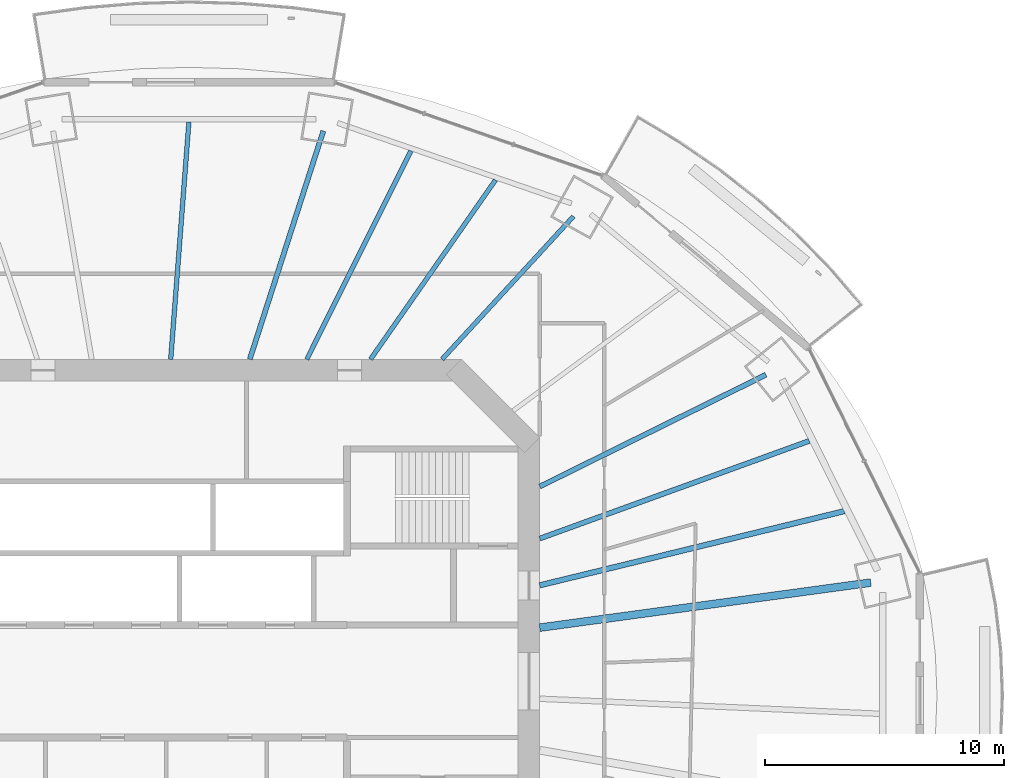
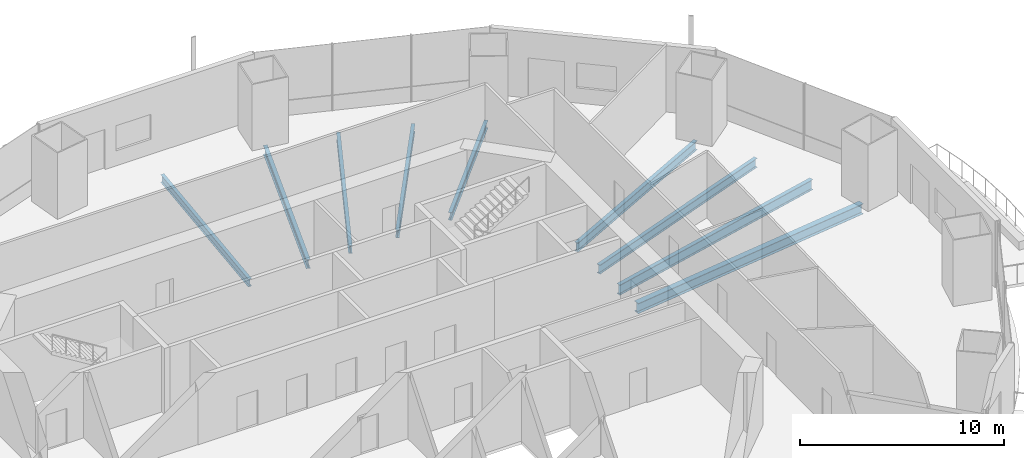
# One storey, part 7 of 20: 9 beams.
"""IFC4 building model written with IfcOpenShell, lengths in metres."""

from ifc_helpers import new_model, si_unit, direction, frame, origin, origin_2d, place, context, subcontext, project, spatial, i_section, extrude, material, material_profile, profile_set, type_object, element, save


model = new_model("IFC4")

# Units and contexts
model_context = context("Model", 3, precision=1e-05, world=origin(), true_north=direction((0.0, 1.0)))
body_context = subcontext(model_context, "Body", "Model", "MODEL_VIEW")
ifc_project = project(units=[si_unit("LENGTHUNIT", "METRE"), si_unit("AREAUNIT", "SQUARE_METRE"), si_unit("VOLUMEUNIT", "CUBIC_METRE"), si_unit("PLANEANGLEUNIT", "RADIAN"), si_unit("MASSUNIT", "GRAM", prefix="KILO")], contexts=[model_context])

# Site, building, storey
site_placement = place(None, origin())
site = spatial("IfcSite", under=ifc_project, at=site_placement, CompositionType="ELEMENT")
building_placement = place(site_placement, origin())
building = spatial("IfcBuilding", under=site, at=building_placement, Name="Marenthal Gate Tower", CompositionType="ELEMENT")
storey_placement = place(building_placement, frame((0.0, 0.0, 210.85009765625)))
storey = spatial("IfcBuildingStorey", under=building, at=storey_placement, Name="L46", CompositionType="ELEMENT", Elevation=210.85009765625)

# Beams
ifc_material_1 = material(Name="Steel S355", Category="steel")
ifc_material_profile_1 = material_profile(ifc_material_1, i_section(OverallWidth=0.193115234375, OverallDepth=0.467041015625, WebThickness=0.011474609375, FlangeThickness=0.01904296875, FilletRadius=0.010009765625, at=origin_2d()), Name="W460X97")
ifc_profile_set_1 = profile_set([ifc_material_profile_1], Name="Steel S355")
beam_type_1 = type_object("IfcBeamType", Name="W460X97 beam", PredefinedType="BEAM", material=ifc_profile_set_1)
beam_1_placement = place(storey_placement, frame((17.859130859375, 19.42333984375, -0.41357421875), z_axis=(-0.67683423775, -0.736135459416, 0.0), x_axis=(0.736135459416, -0.67683423775, 0.0)))
element("IfcBeam", 1, at=beam_1_placement, inside=storey, type_object=beam_type_1, Name="BM-L46-03", PredefinedType="BEAM", context=body_context, shape_type="SweptSolid", body=[
    extrude(i_section(OverallWidth=0.193115234375, OverallDepth=0.467041015625, WebThickness=0.011474609375, FlangeThickness=0.01904296875, FilletRadius=0.010009765625, at=origin_2d()), origin(), (0.0, 0.0, 1.0), 8.114501953125),
])
beam_2_placement = place(storey_placement, frame((14.603271484375, 20.944091796875, -0.41357421875), z_axis=(-0.571933272977, -0.820300147057, 0.0), x_axis=(0.820300147057, -0.571933272977, 0.0)))
element("IfcBeam", 2, at=beam_2_placement, inside=storey, type_object=beam_type_1, Name="BM-L46-20", PredefinedType="BEAM", context=body_context, shape_type="SweptSolid", body=[
    extrude(i_section(OverallWidth=0.193115234375, OverallDepth=0.467041015625, WebThickness=0.011474609375, FlangeThickness=0.01904296875, FilletRadius=0.010009765625, at=origin_2d()), origin(), (0.0, 0.0, 1.0), 9.1357421875),
])
beam_3_placement = place(storey_placement, frame((11.06787109375, 22.16064453125, -0.41357421875), z_axis=(-0.446822395082, -0.894622684294, 0.0), x_axis=(0.894622684294, -0.446822395082, 0.0)))
element("IfcBeam", 3, at=beam_3_placement, inside=storey, type_object=beam_type_1, Name="BM-L46-21", PredefinedType="BEAM", context=body_context, shape_type="SweptSolid", body=[
    extrude(i_section(OverallWidth=0.193115234375, OverallDepth=0.467041015625, WebThickness=0.011474609375, FlangeThickness=0.01904296875, FilletRadius=0.010009765625, at=origin_2d()), origin(), (0.0, 0.0, 1.0), 9.73681640625),
])
beam_4_placement = place(storey_placement, frame((1.791259765625, 23.36376953125, -0.41357421875), z_axis=(-0.076437376751, -0.997074384104, 0.0), x_axis=(0.997074384104, -0.076437376751, 0.0)))
element("IfcBeam", 4, at=beam_4_placement, inside=storey, type_object=beam_type_1, Name="BM-L46-22", PredefinedType="BEAM", context=body_context, shape_type="SweptSolid", body=[
    extrude(i_section(OverallWidth=0.193115234375, OverallDepth=0.467041015625, WebThickness=0.011474609375, FlangeThickness=0.01904296875, FilletRadius=0.010009765625, at=origin_2d()), origin(), (0.0, 0.0, 1.0), 9.94287109375),
])
ifc_material_2 = material(Name="Steel S355", Category="steel")
ifc_material_profile_2 = material_profile(ifc_material_2, i_section(OverallWidth=0.2119140625, OverallDepth=0.5439453125, WebThickness=0.01318359375, FlangeThickness=0.021240234375, FilletRadius=0.0126953125, at=origin_2d()), Name="W530X123")
ifc_profile_set_2 = profile_set([ifc_material_profile_2], Name="Steel S355")
beam_type_2 = type_object("IfcBeamType", Name="W530X123 beam", PredefinedType="BEAM", material=ifc_profile_set_2)
beam_5_placement = place(storey_placement, frame((25.89990234375, 12.806884765625, -0.4521484375), z_axis=(-0.896396180878, -0.44325375002, 0.0), x_axis=(0.44325375002, -0.896396180878, 0.0)))
element("IfcBeam", 5, at=beam_5_placement, inside=storey, type_object=beam_type_2, Name="BM-L46-02", PredefinedType="BEAM", context=body_context, shape_type="SweptSolid", body=[
    extrude(i_section(OverallWidth=0.2119140625, OverallDepth=0.5439453125, WebThickness=0.01318359375, FlangeThickness=0.021240234375, FilletRadius=0.0126953125, at=origin_2d()), origin(), (0.0, 0.0, 1.0), 10.542236328125),
])
beam_6_placement = place(storey_placement, frame((7.408203125, 22.991943359375, -0.4521484375), z_axis=(-0.306677588353, -0.951813456935, 0.0), x_axis=(0.951813456935, -0.306677588353, 0.0)))
element("IfcBeam", 6, at=beam_6_placement, inside=storey, type_object=beam_type_2, Name="BM-L46-04", PredefinedType="BEAM", context=body_context, shape_type="SweptSolid", body=[
    extrude(i_section(OverallWidth=0.2119140625, OverallDepth=0.5439453125, WebThickness=0.01318359375, FlangeThickness=0.021240234375, FilletRadius=0.0126953125, at=origin_2d()), origin(), (0.0, 0.0, 1.0), 10.025146484375),
])
beam_7_placement = place(storey_placement, frame((27.708740234375, 10.04150390625, -0.4521484375), z_axis=(-0.940169047175, -0.340708325015, 0.0), x_axis=(0.340708325015, -0.940169047175, 0.0)))
element("IfcBeam", 7, at=beam_7_placement, inside=storey, type_object=beam_type_2, Name="BM-L46-18", PredefinedType="BEAM", context=body_context, shape_type="SweptSolid", body=[
    extrude(i_section(OverallWidth=0.2119140625, OverallDepth=0.5439453125, WebThickness=0.01318359375, FlangeThickness=0.021240234375, FilletRadius=0.0126953125, at=origin_2d()), origin(), (0.0, 0.0, 1.0), 11.975341796875),
])
ifc_material_3 = material(Name="Steel S355", Category="steel")
ifc_material_profile_3 = material_profile(ifc_material_3, i_section(OverallWidth=0.22900390625, OverallDepth=0.612060546875, WebThickness=0.011962890625, FlangeThickness=0.01953125, FilletRadius=0.0126953125, at=origin_2d()), Name="W610X125")
ifc_profile_set_3 = profile_set([ifc_material_profile_3], Name="Steel S355")
beam_type_3 = type_object("IfcBeamType", Name="W610X125 beam", PredefinedType="BEAM", material=ifc_profile_set_3)
beam_8_placement = place(storey_placement, frame((29.17236328125, 7.10546875, -0.486083984375), z_axis=(-0.971593259294, -0.236657006011, 0.0), x_axis=(0.236657006011, -0.971593259294, 0.0)))
element("IfcBeam", 8, at=beam_8_placement, inside=storey, type_object=beam_type_3, Name="BM-L46-17", PredefinedType="BEAM", context=body_context, shape_type="SweptSolid", body=[
    extrude(i_section(OverallWidth=0.22900390625, OverallDepth=0.612060546875, WebThickness=0.011962890625, FlangeThickness=0.01953125, FilletRadius=0.0126953125, at=origin_2d()), origin(), (0.0, 0.0, 1.0), 13.094482421875),
])
ifc_material_4 = material(Name="Steel S355", Category="steel")
ifc_material_profile_4 = material_profile(ifc_material_4, i_section(OverallWidth=0.324951171875, OverallDepth=0.612060546875, WebThickness=0.0126953125, FlangeThickness=0.01904296875, FilletRadius=0.0126953125, at=origin_2d()), Name="W610X155")
ifc_profile_set_4 = profile_set([ifc_material_profile_4], Name="Steel S355")
beam_type_4 = type_object("IfcBeamType", Name="W610X155 beam", PredefinedType="BEAM", material=ifc_profile_set_4)
beam_9_placement = place(storey_placement, frame((30.28173828125, 4.121337890625, -0.486083984375), z_axis=(-0.990866848737, -0.134843939701, 0.0), x_axis=(0.134843939701, -0.990866848737, 0.0)))
element("IfcBeam", 9, at=beam_9_placement, inside=storey, type_object=beam_type_4, Name="BM-L46-01", PredefinedType="BEAM", context=body_context, shape_type="SweptSolid", body=[
    extrude(i_section(OverallWidth=0.324951171875, OverallDepth=0.612060546875, WebThickness=0.0126953125, FlangeThickness=0.01904296875, FilletRadius=0.0126953125, at=origin_2d()), origin(), (0.0, 0.0, 1.0), 13.959228515625),
])

save(model, "model.ifc")
